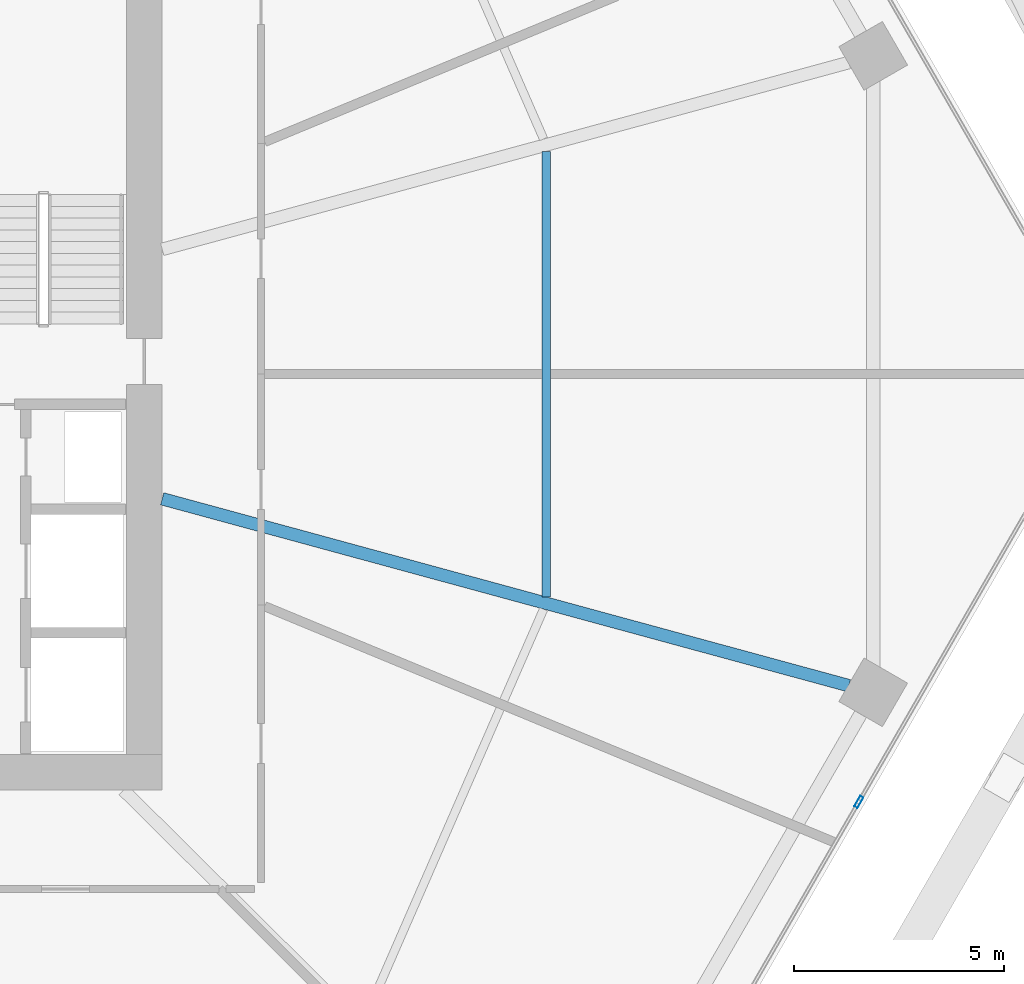
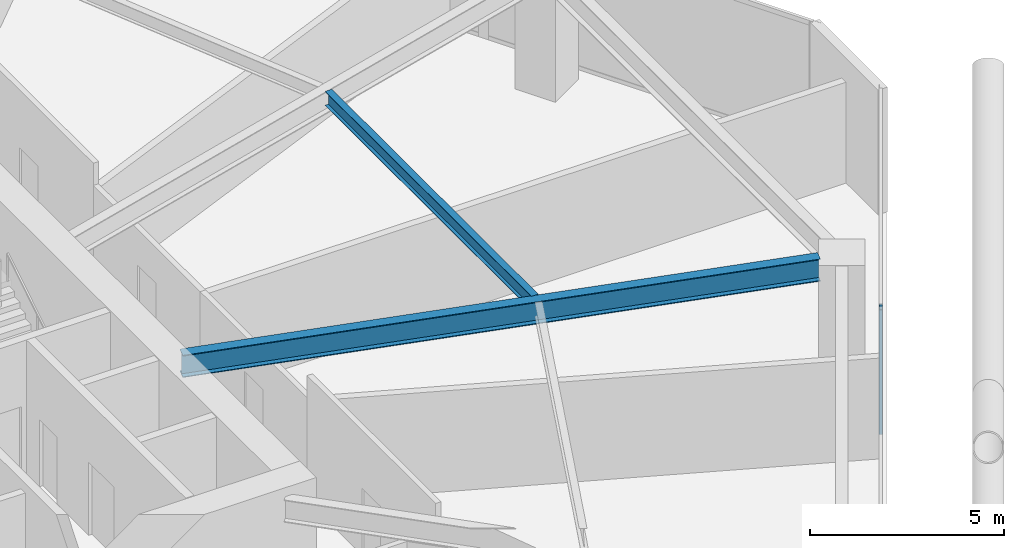
# One storey, part 11 of 28: 2 beams, 1 member, 1 element without a shape of its own.
"""IFC4 building model written with IfcOpenShell, lengths in metres."""

from ifc_helpers import new_model, si_unit, direction, frame, origin, origin_2d, place, context, subcontext, project, spatial, hollow_rectangle, i_section, extrude, material, material_profile, profile_set, type_object, element, aggregate, save


model = new_model("IFC4")

# Units and contexts
model_context = context("Model", 3, precision=1e-05, world=origin(), true_north=direction((0.0, 1.0)))
body_context = subcontext(model_context, "Body", "Model", "MODEL_VIEW")
ifc_project = project(units=[si_unit("LENGTHUNIT", "METRE"), si_unit("AREAUNIT", "SQUARE_METRE"), si_unit("VOLUMEUNIT", "CUBIC_METRE"), si_unit("PLANEANGLEUNIT", "RADIAN"), si_unit("MASSUNIT", "GRAM", prefix="KILO")], contexts=[model_context])

# Site, building, storey
site_placement = place(None, origin())
site = spatial("IfcSite", under=ifc_project, at=site_placement, CompositionType="ELEMENT")
building_placement = place(site_placement, origin())
building = spatial("IfcBuilding", under=site, at=building_placement, Name="Zuhravey Tower", CompositionType="ELEMENT")
storey_placement = place(building_placement, frame((0.0, 0.0, 66.60009765625)))
storey = spatial("IfcBuildingStorey", under=building, at=storey_placement, Name="L16", CompositionType="ELEMENT", Elevation=66.60009765625)

# Curtain wall, member
ifc_material_1 = material(Name="Thermally broken anodised aluminium", Category="aluminium")
curtain_wall_type = type_object("IfcCurtainWallType", Name="School Low-E Unitised Curtain Wall CW1", PredefinedType="NOTDEFINED", material=ifc_material_1)
curtain_wall_placement = place(storey_placement, origin())
curtain_wall = element("IfcCurtainWall", 1, at=curtain_wall_placement, inside=storey, type_object=curtain_wall_type, Name="L16 CW1 CW-L16-F6-1", PredefinedType="NOTDEFINED")
ifc_material_2 = material(Name="Anodised aluminium", Category="aluminium")
ifc_material_profile_1 = material_profile(ifc_material_2, hollow_rectangle(XDim=0.090087890625, YDim=0.284912109375, WallThickness=0.0048828125, at=origin_2d()), Name="ALU-RHS-90x285x5")
ifc_profile_set_1 = profile_set([ifc_material_profile_1], Name="Anodised aluminium")
member_type = type_object("IfcMemberType", Name="Curtain-Wall Mullion 90x180", PredefinedType="MULLION", material=ifc_profile_set_1)
member_placement = place(storey_placement, frame((63.54541015625, 21.79296875, 0.0), z_axis=(0.0, 0.0, 1.0), x_axis=(0.86602552265, -0.499999794119, 0.0)))
member = element("IfcMember", 2, at=member_placement, type_object=member_type, Name="CW1 mullion 2", PredefinedType="MULLION", context=body_context, shape_type="SweptSolid", body=[
    extrude(hollow_rectangle(XDim=0.090087890625, YDim=0.284912109375, WallThickness=0.0048828125, at=origin_2d()), origin(), (0.0, 0.0, 1.0), 3.919921875),
])
aggregate(curtain_wall, [member])

# Beams
ifc_material_3 = material(Name="Steel SM355", Category="steel")
ifc_material_profile_2 = material_profile(ifc_material_3, i_section(OverallWidth=0.300048828125, OverallDepth=0.699951171875, WebThickness=0.012939453125, FlangeThickness=0.02392578125, at=origin_2d()), Name="H-700x300x13x24")
ifc_profile_set_2 = profile_set([ifc_material_profile_2], Name="Steel SM355")
beam_type_1 = type_object("IfcBeamType", Name="Radial Primary Girder H700x300", PredefinedType="BEAM", material=ifc_profile_set_2)
beam_1_placement = place(storey_placement, frame((46.927978515625, 29.025390625, 3.56982421875), z_axis=(0.964892480455, -0.26264520015, 0.0), x_axis=(0.26264520015, 0.964892480455, 0.0)))
element("IfcBeam", 3, at=beam_1_placement, inside=storey, type_object=beam_type_1, Name="L16 RG1 BM-L16-RAD-12", PredefinedType="BEAM", context=body_context, shape_type="SweptSolid", body=[
    extrude(i_section(OverallWidth=0.300048828125, OverallDepth=0.699951171875, WebThickness=0.012939453125, FlangeThickness=0.02392578125, at=origin_2d()), origin(), (0.0, 0.0, 1.0), 16.975341796875),
])
ifc_material_profile_3 = material_profile(ifc_material_3, i_section(OverallWidth=0.199951171875, OverallDepth=0.449951171875, WebThickness=0.009033203125, FlangeThickness=0.013916015625, at=origin_2d()), Name="H-450x200x9x14")
ifc_profile_set_3 = profile_set([ifc_material_profile_3], Name="Steel SM355")
beam_type_2 = type_object("IfcBeamType", Name="Secondary Floor Joist H450x200", PredefinedType="JOIST", material=ifc_profile_set_3)
beam_2_placement = place(storey_placement, frame((56.0869140625, 26.686279296875, 3.69482421875), z_axis=(0.0, 1.0, 0.0), x_axis=(-1.0, 0.0, 0.0)))
element("IfcBeam", 4, at=beam_2_placement, inside=storey, type_object=beam_type_2, Name="L16 SJ1 BM-L16-SJ-12-1", PredefinedType="JOIST", context=body_context, shape_type="SweptSolid", body=[
    extrude(i_section(OverallWidth=0.199951171875, OverallDepth=0.449951171875, WebThickness=0.009033203125, FlangeThickness=0.013916015625, at=origin_2d()), origin(), (0.0, 0.0, 1.0), 10.62744140625),
])

save(model, "model.ifc")
